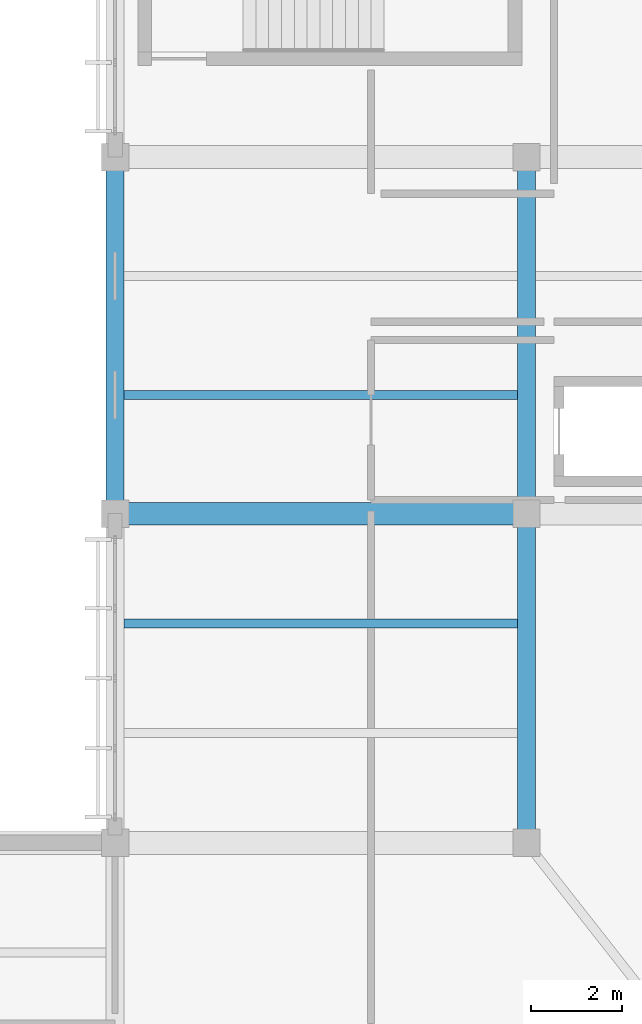
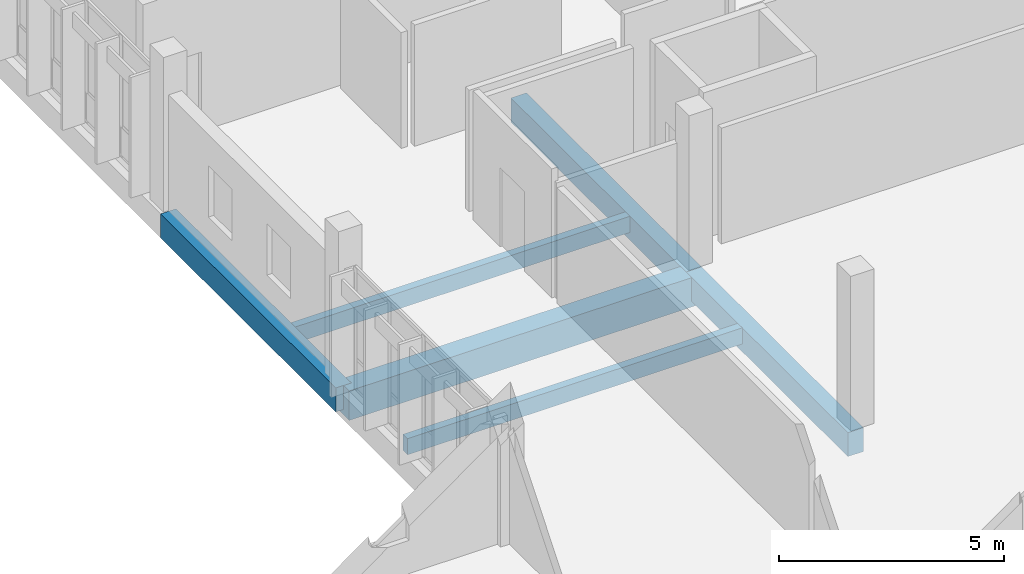
# One storey, part 54 of 107: 6 beams.
"""IFC4 building model written with IfcOpenShell, lengths in metres."""

from ifc_helpers import new_model, si_unit, direction, frame, origin, origin_2d, place, context, subcontext, project, spatial, rectangle, extrude, material, material_profile, profile_set, type_object, element, save


model = new_model("IFC4")

# Units and contexts
model_context = context("Model", 3, precision=1e-05, world=origin(), true_north=direction((0.0, 1.0)))
body_context = subcontext(model_context, "Body", "Model", "MODEL_VIEW")
ifc_project = project(units=[si_unit("LENGTHUNIT", "METRE"), si_unit("AREAUNIT", "SQUARE_METRE"), si_unit("VOLUMEUNIT", "CUBIC_METRE"), si_unit("PLANEANGLEUNIT", "RADIAN"), si_unit("MASSUNIT", "GRAM", prefix="KILO")], contexts=[model_context])

# Site, building, storey
site_placement = place(None, origin())
site = spatial("IfcSite", under=ifc_project, at=site_placement, CompositionType="ELEMENT")
building_placement = place(site_placement, origin())
building = spatial("IfcBuilding", under=site, at=building_placement, Name="Chiffa Square Polytechnic", CompositionType="ELEMENT")
storey_placement = place(building_placement, frame((0.0, 0.0, 13.800048828125)))
storey = spatial("IfcBuildingStorey", under=building, at=storey_placement, Name="L03", CompositionType="ELEMENT", Elevation=13.800048828125)

# Beams
ifc_material_1 = material(Name="Concrete C35/45", Category="concrete")
ifc_material_profile_1 = material_profile(ifc_material_1, rectangle(XDim=0.39990234375, YDim=0.64990234375, at=origin_2d()), Name="RC 400x650")
ifc_profile_set_1 = profile_set([ifc_material_profile_1], Name="Concrete C35/45")
beam_type_1 = type_object("IfcBeamType", Name="BM-RC-400X650", PredefinedType="BEAM", material=ifc_profile_set_1)
beam_1_placement = place(storey_placement, frame((148.199951171875, 36.0, -0.5849609375), z_axis=(0.0, 1.0, 0.0), x_axis=(-1.0, 0.0, 0.0)))
element("IfcBeam", 1, at=beam_1_placement, inside=storey, type_object=beam_type_1, Name="Primary floor girder BM-V1-L03-Y-1482-0360", PredefinedType="BEAM", context=body_context, shape_type="SweptSolid", body=[
    extrude(rectangle(XDim=0.39990234375, YDim=0.64990234375, at=origin_2d()), origin(), (0.0, 0.0, 1.0), 7.800048828125),
])
beam_2_placement = place(storey_placement, frame((157.199951171875, 28.800048828125, -0.5849609375), z_axis=(0.0, 1.0, 0.0), x_axis=(-1.0, 0.0, 0.0)))
element("IfcBeam", 2, at=beam_2_placement, inside=storey, type_object=beam_type_1, Name="Primary floor girder BM-V1-L03-Y-1572-0288", PredefinedType="BEAM", context=body_context, shape_type="SweptSolid", body=[
    extrude(rectangle(XDim=0.39990234375, YDim=0.64990234375, at=origin_2d()), origin(), (0.0, 0.0, 1.0), 7.199951171875),
])
beam_3_placement = place(storey_placement, frame((157.199951171875, 36.0, -0.5849609375), z_axis=(0.0, 1.0, 0.0), x_axis=(-1.0, 0.0, 0.0)))
element("IfcBeam", 3, at=beam_3_placement, inside=storey, type_object=beam_type_1, Name="Primary floor girder BM-V1-L03-Y-1572-0360", PredefinedType="BEAM", context=body_context, shape_type="SweptSolid", body=[
    extrude(rectangle(XDim=0.39990234375, YDim=0.64990234375, at=origin_2d()), origin(), (0.0, 0.0, 1.0), 7.800048828125),
])
ifc_material_2 = material(Name="Concrete C40/50", Category="concrete")
ifc_material_profile_2 = material_profile(ifc_material_2, rectangle(XDim=0.5, YDim=0.800048828125, at=origin_2d()), Name="RC 500x800")
ifc_profile_set_2 = profile_set([ifc_material_profile_2], Name="Concrete C40/50")
beam_type_2 = type_object("IfcBeamType", Name="BM-RC-500X800", PredefinedType="BEAM", material=ifc_profile_set_2)
beam_4_placement = place(storey_placement, frame((148.199951171875, 36.0, -0.66015625), z_axis=(1.0, 0.0, 0.0), x_axis=(0.0, 1.0, 0.0)))
element("IfcBeam", 4, at=beam_4_placement, inside=storey, type_object=beam_type_2, Name="Primary floor girder BM-V1-L03-X-1482-0360", PredefinedType="BEAM", context=body_context, shape_type="SweptSolid", body=[
    extrude(rectangle(XDim=0.5, YDim=0.800048828125, at=origin_2d()), origin(), (0.0, 0.0, 1.0), 9.0),
])
ifc_material_3 = material(Name="Glulam GL28h", Category="wood")
ifc_material_profile_3 = material_profile(ifc_material_3, rectangle(XDim=0.199951171875, YDim=0.43994140625, at=origin_2d()), Name="GL28h 200x440")
ifc_profile_set_3 = profile_set([ifc_material_profile_3], Name="Glulam GL28h")
beam_type_3 = type_object("IfcBeamType", Name="JST-GL-200X440", PredefinedType="JOIST", material=ifc_profile_set_3)
for number, where, z_axis, x_axis, name in (
    (5, (148.39794921875, 33.60009765625, -0.47998046875), (1.0, 0.0, 0.0), (0.0, 1.0, 0.0), "Secondary floor joist JST-V1-L03-1482-0336"),
    (6, (148.39794921875, 38.60009765625, -0.47998046875), (1.0, 0.0, 0.0), (0.0, 1.0, 0.0), "Secondary floor joist JST-V1-L03-1482-0386"),
):
    element("IfcBeam", number, at=place(storey_placement, frame(where, z_axis=z_axis, x_axis=x_axis)), inside=storey, type_object=beam_type_3, Name=name, PredefinedType="JOIST", context=body_context, shape_type="SweptSolid", body=[
        extrude(rectangle(XDim=0.199951171875, YDim=0.43994140625, at=origin_2d()), origin(), (0.0, 0.0, 1.0), 8.60400390625),
    ])

save(model, "model.ifc")
